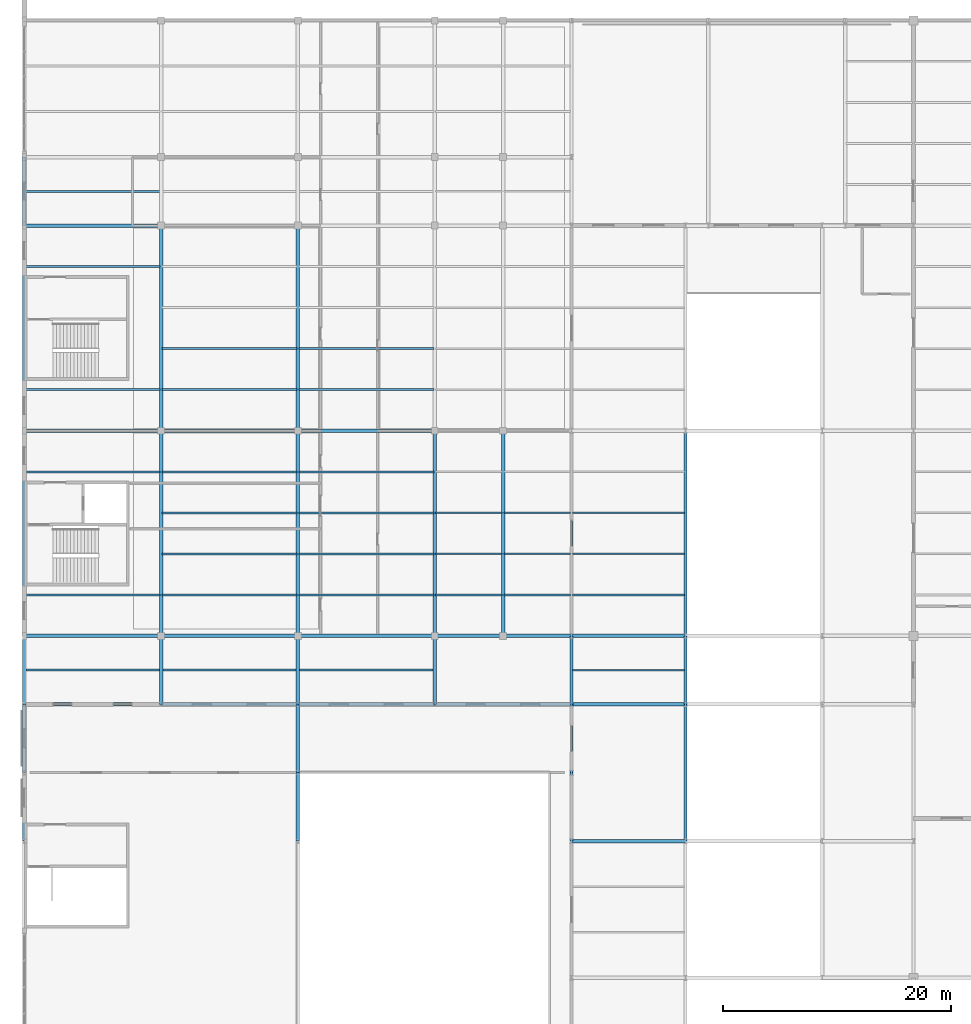
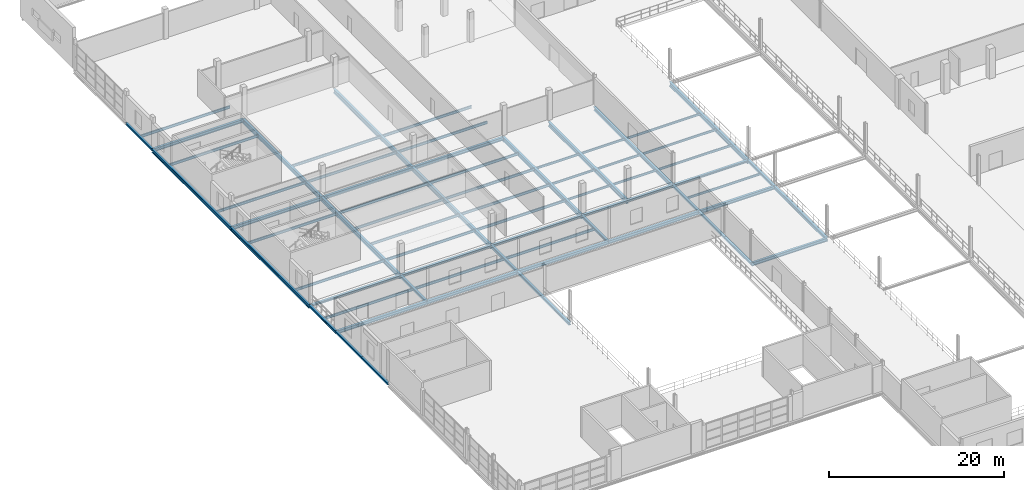
# One storey, part 63 of 147: 70 beams.
"""IFC4 building model written with IfcOpenShell, lengths in metres."""

import ifcopenshell
import ifcopenshell.guid

model = None  # the IFC model being written
_history = None  # IfcOwnerHistory: only IFC2X3 demands one
_inside = {}  # id of a spatial element -> (the spatial element, [elements in it])
_under = {}  # id of a project, library or spatial element -> (it, [spatial elements below it])
_declared = {}  # id of a project -> (the project, [libraries it declares])
_typed = {}  # id of a type object -> (the type object, [elements of that type])
_made_of = {}  # id of a material, layer set ... -> (it, [elements and type objects made of it])


def new_model(schema):
    """Start an empty IFC model of exactly this schema.

    Asked for "IFC4X3", IfcOpenShell would pick the latest addendum, in which some entities
    have other attributes; the version numbers below select the first issue.
    IFC2X3 requires an IfcOwnerHistory on every rooted entity: one is made here for all.
    """
    global model, _history
    if schema == "IFC4X3":
        model = ifcopenshell.file(schema_version=(4, 3, 0, 0))
    else:
        model = ifcopenshell.file(schema=schema)
    _inside.clear()
    _under.clear()
    _declared.clear()
    _typed.clear()
    _made_of.clear()
    _history = None
    if model.schema == "IFC2X3":
        org = make("IfcOrganization", Name="unknown")
        user = make(
            "IfcPersonAndOrganization",
            ThePerson=make("IfcPerson", FamilyName="unknown"),
            TheOrganization=org,
        )
        app = make(
            "IfcApplication",
            ApplicationDeveloper=org,
            Version="unknown",
            ApplicationFullName="unknown",
            ApplicationIdentifier="unknown",
        )
        _history = make(
            "IfcOwnerHistory",
            OwningUser=user,
            OwningApplication=app,
            ChangeAction="ADDED",
            CreationDate=0,
        )
    return model


def make(cls, **values):
    """One entity of the class cls with the attributes given. An attribute that is None is left unset."""
    return model.create_entity(
        cls, **{name: value for name, value in values.items() if value is not None}
    )


def rooted(cls, **values):
    """An entity with a GlobalId (a new one), such as an element, a storey or a relation."""
    return make(cls, GlobalId=ifcopenshell.guid.new(), OwnerHistory=_history, **values)


def si_unit(unit_type, name, prefix=None):
    """IfcSIUnit, for example si_unit("LENGTHUNIT", "METRE", prefix="MILLI")."""
    return make("IfcSIUnit", UnitType=unit_type, Prefix=prefix, Name=name)


def assignment(units):
    """IfcUnitAssignment: the units of a project."""
    return None if units is None else make("IfcUnitAssignment", Units=units)


def point(xyz):
    """IfcCartesianPoint."""
    return None if xyz is None else make("IfcCartesianPoint", Coordinates=xyz)


def direction(xyz):
    """IfcDirection."""
    return None if xyz is None else make("IfcDirection", DirectionRatios=xyz)


def frame(location, z_axis=None, x_axis=None):
    """IfcAxis2Placement3D, a coordinate frame: its origin and axes. An axis left out is left unset."""
    return make(
        "IfcAxis2Placement3D",
        Location=point(location),
        Axis=direction(z_axis),
        RefDirection=direction(x_axis),
    )


def frame_2d(location, x_axis=None):
    """IfcAxis2Placement2D, a coordinate frame in the plane: its origin and x axis."""
    return make(
        "IfcAxis2Placement2D", Location=point(location), RefDirection=direction(x_axis)
    )


def origin():
    """The frame at (0, 0, 0) with its axes left unset."""
    return frame((0.0, 0.0, 0.0))


def origin_2d():
    """The frame at (0, 0) in the plane with its x axis left unset."""
    return frame_2d((0.0, 0.0))


def place(relative_to, where):
    """IfcLocalPlacement: puts the frame where relative to a parent placement (None: the world)."""
    return make(
        "IfcLocalPlacement", PlacementRelTo=relative_to, RelativePlacement=where
    )


def context(
    kind, dimensions, precision=None, world=None, true_north=None, identifier=None
):
    """IfcGeometricRepresentationContext, for example the 3D "Model" context."""
    return make(
        "IfcGeometricRepresentationContext",
        ContextIdentifier=identifier,
        ContextType=kind,
        CoordinateSpaceDimension=dimensions,
        Precision=precision,
        WorldCoordinateSystem=world,
        TrueNorth=true_north,
    )


def subcontext(parent, identifier, kind, view, scale=None):
    """IfcGeometricRepresentationSubContext, for example "Body" below "Model"."""
    return make(
        "IfcGeometricRepresentationSubContext",
        ContextIdentifier=identifier,
        ContextType=kind,
        ParentContext=parent,
        TargetScale=scale,
        TargetView=view,
    )


def project(units=None, contexts=None):
    """IfcProject with its units and contexts."""
    return rooted(
        "IfcProject",
        Name="project",
        RepresentationContexts=contexts,
        UnitsInContext=assignment(units),
    )


def spatial(cls, under=None, at=None, **own):
    """A site, building, storey or space (cls), placed at a placement, below another one or the project."""
    s = rooted(cls, ObjectPlacement=at, **own)
    if under is not None:
        _under.setdefault(under.id(), (under, []))[1].append(s)
    return s


def profile(cls, at=None, kind="AREA", **sizes):
    """A parametric profile (cls). Its sizes go by their IFC names, for example OverallWidth=200.0."""
    return make(cls, ProfileType=kind, Position=at, **sizes)


def i_section(**sizes):
    """IfcIShapeProfileDef."""
    return profile("IfcIShapeProfileDef", **sizes)


def extrude(swept, where, along, depth):
    """IfcExtrudedAreaSolid: the profile swept, set in the frame where, extruded along a direction by depth."""
    return make(
        "IfcExtrudedAreaSolid",
        SweptArea=swept,
        Position=where,
        ExtrudedDirection=direction(along),
        Depth=depth,
    )


def shape(context_of_items, identifier, shape_type, items):
    """IfcShapeRepresentation: the items that make up one representation, for example the "Body"."""
    return make(
        "IfcShapeRepresentation",
        ContextOfItems=context_of_items,
        RepresentationIdentifier=identifier,
        RepresentationType=shape_type,
        Items=items,
    )


def material(Name=None, Category=None):
    """IfcMaterial."""
    return make("IfcMaterial", Name=Name, Category=Category)


def material_profile(
    of_material, cross_section, Name=None, Category=None, Priority=None
):
    """IfcMaterialProfile: a cross section and its material."""
    return make(
        "IfcMaterialProfile",
        Name=Name,
        Material=of_material,
        Profile=cross_section,
        Priority=Priority,
        Category=Category,
    )


def profile_set(profiles, Name=None, composite=None):
    """IfcMaterialProfileSet."""
    return make(
        "IfcMaterialProfileSet",
        Name=Name,
        MaterialProfiles=profiles,
        CompositeProfile=composite,
    )


def made_of(thing, what):
    """Note that an element or type object is made of a material, layer set ...; save() writes the relation."""
    if what is not None:
        _made_of.setdefault(what.id(), (what, []))[1].append(thing)
    return thing


def type_object(cls, material=None, **own):
    """A type object (cls), such as IfcWallType, which elements share."""
    return made_of(rooted(cls, **own), material)


def element(
    cls,
    number,
    at=None,
    inside=None,
    cuts=None,
    type_object=None,
    material=None,
    context=None,
    identifier="Body",
    shape_type=None,
    held_by="IfcProductDefinitionShape",
    body=None,
    shapes=None,
    **own,
):
    """One element of the class cls, such as IfcWall. Its Tag is "e" and its number.

    at: its placement. inside: the storey or other place that contains it. cuts: it is an
    opening in that element (IfcRelVoidsElement). A single representation is given by context,
    identifier, shape_type and body (its items); several are given by shapes. held_by: the class
    of the entity that holds the representations. save() writes the other relations.
    """
    e = rooted(cls, Tag="e%d" % number, ObjectPlacement=at, **own)
    if body is not None:
        shapes = [shape(context, identifier, shape_type, body)]
    if shapes is not None:
        e.Representation = make(held_by, Representations=shapes)
    if inside is not None:
        _inside.setdefault(inside.id(), (inside, []))[1].append(e)
    if cuts is not None:
        rooted(
            "IfcRelVoidsElement", RelatingBuildingElement=cuts, RelatedOpeningElement=e
        )
    if type_object is not None:
        _typed.setdefault(type_object.id(), (type_object, []))[1].append(e)
    return made_of(e, material)


def aggregate(whole, parts):
    """IfcRelAggregates: a whole, such as a stair, and the parts it consists of."""
    return rooted("IfcRelAggregates", RelatingObject=whole, RelatedObjects=parts)


def save(model, path):
    """Write the relations noted so far, then the file.

    IfcRelAggregates (storeys below a building ...), IfcRelContainedInSpatialStructure (elements
    in a storey), IfcRelDefinesByType, IfcRelAssociatesMaterial and IfcRelDeclares: one each for
    every whole, place, type object, material and project.
    """
    for whole, parts in _under.values():
        aggregate(whole, parts)
    for where, things in _inside.values():
        rooted(
            "IfcRelContainedInSpatialStructure",
            RelatedElements=things,
            RelatingStructure=where,
        )
    for kind, things in _typed.values():
        rooted("IfcRelDefinesByType", RelatedObjects=things, RelatingType=kind)
    for what, things in _made_of.values():
        rooted("IfcRelAssociatesMaterial", RelatedObjects=things, RelatingMaterial=what)
    for by, libraries in _declared.values():
        rooted("IfcRelDeclares", RelatingContext=by, RelatedDefinitions=libraries)
    model.write(path)


model = new_model("IFC4")

# Units and contexts
model_context = context("Model", 3, precision=1e-05, world=origin(), true_north=direction((0.0, 1.0)))
body_context = subcontext(model_context, "Body", "Model", "MODEL_VIEW")
ifc_project = project(units=[si_unit("LENGTHUNIT", "METRE"), si_unit("AREAUNIT", "SQUARE_METRE"), si_unit("VOLUMEUNIT", "CUBIC_METRE"), si_unit("PLANEANGLEUNIT", "RADIAN"), si_unit("MASSUNIT", "GRAM", prefix="KILO")], contexts=[model_context])

# Site, building, storey
site_placement = place(None, origin())
site = spatial("IfcSite", under=ifc_project, at=site_placement, CompositionType="ELEMENT")
building_placement = place(site_placement, origin())
building = spatial("IfcBuilding", under=site, at=building_placement, Name="Zilviju Railside Exhibition Hall", CompositionType="ELEMENT")
storey_placement = place(building_placement, frame((0.0, 0.0, 8.39990234375)))
storey = spatial("IfcBuildingStorey", under=building, at=storey_placement, Name="L03", CompositionType="ELEMENT", Elevation=8.39990234375)

# Beams
ifc_material = material(Name="Steel S355J2", Category="steel")
ifc_material_profile_1 = material_profile(ifc_material, i_section(OverallWidth=0.300048828125, OverallDepth=0.2900390625, WebThickness=0.008544921875, FlangeThickness=0.013916015625, at=origin_2d()), Name="HEA 300")
ifc_profile_set_1 = profile_set([ifc_material_profile_1], Name="Steel S355J2")
beam_type_1 = type_object("IfcBeamType", Name="BM-HEA300", PredefinedType="SPANDREL", material=ifc_profile_set_1)
for number, where, z_axis, x_axis, name in (
    (1, (0.0, 84.0, -0.494873046875), (1.0, 0.0, 0.0), (0.0, 1.0, 0.0), "Primary Girder L03 Y=84.0 (0.0..12.0)"),
    (2, (12.0, 84.0, -0.494873046875), (1.0, 0.0, 0.0), (0.0, 1.0, 0.0), "Primary Girder L03 Y=84.0 (12.0..24.0)"),
    (3, (24.0, 84.0, -0.494873046875), (1.0, 0.0, 0.0), (0.0, 1.0, 0.0), "Primary Girder L03 Y=84.0 (24.0..36.0)"),
):
    element("IfcBeam", number, at=place(storey_placement, frame(where, z_axis=z_axis, x_axis=x_axis)), inside=storey, type_object=beam_type_1, Name=name, PredefinedType="SPANDREL", context=body_context, shape_type="SweptSolid", body=[
        extrude(i_section(OverallWidth=0.300048828125, OverallDepth=0.2900390625, WebThickness=0.008544921875, FlangeThickness=0.013916015625, at=origin_2d()), origin(), (0.0, 0.0, 1.0), 12.0),
    ])
for number, where, z_axis, x_axis, name in (
    (4, (36.0, 84.0, -0.494873046875), (1.0, 0.0, 0.0), (0.0, 1.0, 0.0), "Primary Girder L03 Y=84.0 (36.0..42.0)"),
    (5, (42.0, 84.0, -0.494873046875), (1.0, 0.0, 0.0), (0.0, 1.0, 0.0), "Primary Girder L03 Y=84.0 (42.0..48.0)"),
):
    element("IfcBeam", number, at=place(storey_placement, frame(where, z_axis=z_axis, x_axis=x_axis)), inside=storey, type_object=beam_type_1, Name=name, PredefinedType="SPANDREL", context=body_context, shape_type="SweptSolid", body=[
        extrude(i_section(OverallWidth=0.300048828125, OverallDepth=0.2900390625, WebThickness=0.008544921875, FlangeThickness=0.013916015625, at=origin_2d()), origin(), (0.0, 0.0, 1.0), 6.0),
    ])
beam_1_placement = place(storey_placement, frame((48.0, 84.0, -0.494873046875), z_axis=(1.0, 0.0, 0.0), x_axis=(0.0, 1.0, 0.0)))
element("IfcBeam", 6, at=beam_1_placement, inside=storey, type_object=beam_type_1, Name="Primary Girder L03 Y=84.0 (48.0..58.0)", PredefinedType="SPANDREL", context=body_context, shape_type="SweptSolid", body=[
    extrude(i_section(OverallWidth=0.300048828125, OverallDepth=0.2900390625, WebThickness=0.008544921875, FlangeThickness=0.013916015625, at=origin_2d()), origin(), (0.0, 0.0, 1.0), 10.0),
])
for number, where, z_axis, x_axis, name in (
    (7, (0.0, 66.0, -0.494873046875), (0.0, 1.0, 0.0), (-1.0, 0.0, 0.0), "Transverse Girder L03 X=0.0 (66.0..72.0)"),
    (8, (0.0, 72.0, -0.494873046875), (0.0, 1.0, 0.0), (-1.0, 0.0, 0.0), "Transverse Girder L03 X=0.0 (72.0..78.0)"),
    (9, (0.0, 78.0, -0.494873046875), (0.0, 1.0, 0.0), (-1.0, 0.0, 0.0), "Transverse Girder L03 X=0.0 (78.0..84.0)"),
    (10, (0.0, 120.0, -0.494873046875), (0.0, 1.0, 0.0), (-1.0, 0.0, 0.0), "Transverse Girder L03 X=0.0 (120.0..126.0)"),
    (11, (48.0, 66.0, -0.494873046875), (0.0, 1.0, 0.0), (-1.0, 0.0, 0.0), "Transverse Girder L03 X=48.0 (66.0..72.0)"),
    (12, (48.0, 72.0, -0.494873046875), (0.0, 1.0, 0.0), (-1.0, 0.0, 0.0), "Transverse Girder L03 X=48.0 (72.0..78.0)"),
    (13, (48.0, 78.0, -0.494873046875), (0.0, 1.0, 0.0), (-1.0, 0.0, 0.0), "Transverse Girder L03 X=48.0 (78.0..84.0)"),
):
    element("IfcBeam", number, at=place(storey_placement, frame(where, z_axis=z_axis, x_axis=x_axis)), inside=storey, type_object=beam_type_1, Name=name, PredefinedType="SPANDREL", context=body_context, shape_type="SweptSolid", body=[
        extrude(i_section(OverallWidth=0.300048828125, OverallDepth=0.2900390625, WebThickness=0.008544921875, FlangeThickness=0.013916015625, at=origin_2d()), origin(), (0.0, 0.0, 1.0), 6.0),
    ])
ifc_material_profile_2 = material_profile(ifc_material, i_section(OverallWidth=0.300048828125, OverallDepth=0.360107421875, WebThickness=0.012451171875, FlangeThickness=0.0224609375, at=origin_2d()), Name="HEB 360")
ifc_profile_set_2 = profile_set([ifc_material_profile_2], Name="Steel S355J2")
beam_type_2 = type_object("IfcBeamType", Name="BM-HEB360", PredefinedType="BEAM", material=ifc_profile_set_2)
for number, where, z_axis, x_axis, name in (
    (14, (12.0, 78.0, -0.52978515625), (0.0, 1.0, 0.0), (-1.0, 0.0, 0.0), "Transverse Girder L03 X=12.0 (78.0..84.0)"),
    (15, (24.0, 66.0, -0.52978515625), (0.0, 1.0, 0.0), (-1.0, 0.0, 0.0), "Transverse Girder L03 X=24.0 (66.0..72.0)"),
    (16, (24.0, 72.0, -0.52978515625), (0.0, 1.0, 0.0), (-1.0, 0.0, 0.0), "Transverse Girder L03 X=24.0 (72.0..78.0)"),
    (17, (24.0, 78.0, -0.52978515625), (0.0, 1.0, 0.0), (-1.0, 0.0, 0.0), "Transverse Girder L03 X=24.0 (78.0..84.0)"),
    (18, (36.0, 78.0, -0.52978515625), (0.0, 1.0, 0.0), (-1.0, 0.0, 0.0), "Transverse Girder L03 X=36.0 (78.0..84.0)"),
    (19, (58.0, 78.0, -0.52978515625), (0.0, 1.0, 0.0), (-1.0, 0.0, 0.0), "Transverse Girder L03 X=58.0 (78.0..84.0)"),
):
    element("IfcBeam", number, at=place(storey_placement, frame(where, z_axis=z_axis, x_axis=x_axis)), inside=storey, type_object=beam_type_2, Name=name, PredefinedType="BEAM", context=body_context, shape_type="SweptSolid", body=[
        extrude(i_section(OverallWidth=0.300048828125, OverallDepth=0.360107421875, WebThickness=0.012451171875, FlangeThickness=0.0224609375, at=origin_2d()), origin(), (0.0, 0.0, 1.0), 6.0),
    ])
ifc_material_profile_3 = material_profile(ifc_material, i_section(OverallWidth=0.300048828125, OverallDepth=0.449951171875, WebThickness=0.013916015625, FlangeThickness=0.02587890625, at=origin_2d()), Name="HEB 450")
ifc_profile_set_3 = profile_set([ifc_material_profile_3], Name="Steel S355J2")
beam_type_3 = type_object("IfcBeamType", Name="BM-HEB450", PredefinedType="BEAM", material=ifc_profile_set_3)
beam_2_placement = place(storey_placement, frame((48.0, 66.0, -0.574951171875), z_axis=(1.0, 0.0, 0.0), x_axis=(0.0, 1.0, 0.0)))
element("IfcBeam", 20, at=beam_2_placement, inside=storey, type_object=beam_type_3, Name="Primary Girder L03 Y=66.0 (48.0..58.0)", PredefinedType="BEAM", context=body_context, shape_type="SweptSolid", body=[
    extrude(i_section(OverallWidth=0.300048828125, OverallDepth=0.449951171875, WebThickness=0.013916015625, FlangeThickness=0.02587890625, at=origin_2d()), origin(), (0.0, 0.0, 1.0), 10.0),
])
for number, where, z_axis, x_axis, name in (
    (21, (0.0, 78.0, -0.574951171875), (1.0, 0.0, 0.0), (0.0, 1.0, 0.0), "Primary Girder L03 Y=78.0 (0.0..12.0)"),
    (22, (12.0, 78.0, -0.574951171875), (1.0, 0.0, 0.0), (0.0, 1.0, 0.0), "Primary Girder L03 Y=78.0 (12.0..24.0)"),
    (23, (24.0, 78.0, -0.574951171875), (1.0, 0.0, 0.0), (0.0, 1.0, 0.0), "Primary Girder L03 Y=78.0 (24.0..36.0)"),
    (24, (36.0, 78.0, -0.574951171875), (1.0, 0.0, 0.0), (0.0, 1.0, 0.0), "Primary Girder L03 Y=78.0 (36.0..48.0)"),
):
    element("IfcBeam", number, at=place(storey_placement, frame(where, z_axis=z_axis, x_axis=x_axis)), inside=storey, type_object=beam_type_3, Name=name, PredefinedType="BEAM", context=body_context, shape_type="SweptSolid", body=[
        extrude(i_section(OverallWidth=0.300048828125, OverallDepth=0.449951171875, WebThickness=0.013916015625, FlangeThickness=0.02587890625, at=origin_2d()), origin(), (0.0, 0.0, 1.0), 12.0),
    ])
beam_3_placement = place(storey_placement, frame((48.0, 78.0, -0.574951171875), z_axis=(1.0, 0.0, 0.0), x_axis=(0.0, 1.0, 0.0)))
element("IfcBeam", 25, at=beam_3_placement, inside=storey, type_object=beam_type_3, Name="Primary Girder L03 Y=78.0 (48.0..58.0)", PredefinedType="BEAM", context=body_context, shape_type="SweptSolid", body=[
    extrude(i_section(OverallWidth=0.300048828125, OverallDepth=0.449951171875, WebThickness=0.013916015625, FlangeThickness=0.02587890625, at=origin_2d()), origin(), (0.0, 0.0, 1.0), 10.0),
])
for number, where, z_axis, x_axis, name in (
    (26, (0.0, 102.0, -0.574951171875), (1.0, 0.0, 0.0), (0.0, 1.0, 0.0), "Primary Girder L03 Y=102.0 (0.0..12.0)"),
    (27, (12.0, 102.0, -0.574951171875), (1.0, 0.0, 0.0), (0.0, 1.0, 0.0), "Primary Girder L03 Y=102.0 (12.0..24.0)"),
    (28, (24.0, 102.0, -0.574951171875), (1.0, 0.0, 0.0), (0.0, 1.0, 0.0), "Primary Girder L03 Y=102.0 (24.0..36.0)"),
    (29, (0.0, 120.0, -0.574951171875), (1.0, 0.0, 0.0), (0.0, 1.0, 0.0), "Primary Girder L03 Y=120.0 (0.0..12.0)"),
    (30, (58.0, 66.0, -0.574951171875), (0.0, 1.0, 0.0), (-1.0, 0.0, 0.0), "Transverse Girder L03 X=58.0 (66.0..78.0)"),
):
    element("IfcBeam", number, at=place(storey_placement, frame(where, z_axis=z_axis, x_axis=x_axis)), inside=storey, type_object=beam_type_3, Name=name, PredefinedType="BEAM", context=body_context, shape_type="SweptSolid", body=[
        extrude(i_section(OverallWidth=0.300048828125, OverallDepth=0.449951171875, WebThickness=0.013916015625, FlangeThickness=0.02587890625, at=origin_2d()), origin(), (0.0, 0.0, 1.0), 12.0),
    ])
ifc_material_profile_4 = material_profile(ifc_material, i_section(OverallWidth=0.300048828125, OverallDepth=0.5, WebThickness=0.014404296875, FlangeThickness=0.028076171875, at=origin_2d()), Name="HEB 500")
ifc_profile_set_4 = profile_set([ifc_material_profile_4], Name="Steel S355J2")
beam_type_4 = type_object("IfcBeamType", Name="BM-HEB500", PredefinedType="BEAM", material=ifc_profile_set_4)
for number, where, z_axis, x_axis, name in (
    (31, (0.0, 84.0, -0.599853515625), (0.0, 1.0, 0.0), (-1.0, 0.0, 0.0), "Transverse Girder L03 X=0.0 (84.0..102.0)"),
    (32, (0.0, 102.0, -0.599853515625), (0.0, 1.0, 0.0), (-1.0, 0.0, 0.0), "Transverse Girder L03 X=0.0 (102.0..120.0)"),
    (33, (48.0, 84.0, -0.599853515625), (0.0, 1.0, 0.0), (-1.0, 0.0, 0.0), "Transverse Girder L03 X=48.0 (84.0..102.0)"),
):
    element("IfcBeam", number, at=place(storey_placement, frame(where, z_axis=z_axis, x_axis=x_axis)), inside=storey, type_object=beam_type_4, Name=name, PredefinedType="BEAM", context=body_context, shape_type="SweptSolid", body=[
        extrude(i_section(OverallWidth=0.300048828125, OverallDepth=0.5, WebThickness=0.014404296875, FlangeThickness=0.028076171875, at=origin_2d()), origin(), (0.0, 0.0, 1.0), 18.0),
    ])
ifc_material_profile_5 = material_profile(ifc_material, i_section(OverallWidth=0.300048828125, OverallDepth=0.60009765625, WebThickness=0.015380859375, FlangeThickness=0.030029296875, at=origin_2d()), Name="HEB 600")
ifc_profile_set_5 = profile_set([ifc_material_profile_5], Name="Steel S355J2")
beam_type_5 = type_object("IfcBeamType", Name="BM-HEB600", PredefinedType="BEAM", material=ifc_profile_set_5)
for number, where, z_axis, x_axis, name in (
    (34, (12.0, 84.0, -0.64990234375), (0.0, 1.0, 0.0), (-1.0, 0.0, 0.0), "Transverse Girder L03 X=12.0 (84.0..102.0)"),
    (35, (12.0, 102.0, -0.64990234375), (0.0, 1.0, 0.0), (-1.0, 0.0, 0.0), "Transverse Girder L03 X=12.0 (102.0..120.0)"),
    (36, (24.0, 84.0, -0.64990234375), (0.0, 1.0, 0.0), (-1.0, 0.0, 0.0), "Transverse Girder L03 X=24.0 (84.0..102.0)"),
    (37, (24.0, 102.0, -0.64990234375), (0.0, 1.0, 0.0), (-1.0, 0.0, 0.0), "Transverse Girder L03 X=24.0 (102.0..120.0)"),
    (38, (36.0, 84.0, -0.64990234375), (0.0, 1.0, 0.0), (-1.0, 0.0, 0.0), "Transverse Girder L03 X=36.0 (84.0..102.0)"),
    (39, (42.0, 84.0, -0.64990234375), (0.0, 1.0, 0.0), (-1.0, 0.0, 0.0), "Transverse Girder L03 X=42.0 (84.0..102.0)"),
    (40, (58.0, 84.0, -0.64990234375), (0.0, 1.0, 0.0), (-1.0, 0.0, 0.0), "Transverse Girder L03 X=58.0 (84.0..102.0)"),
):
    element("IfcBeam", number, at=place(storey_placement, frame(where, z_axis=z_axis, x_axis=x_axis)), inside=storey, type_object=beam_type_5, Name=name, PredefinedType="BEAM", context=body_context, shape_type="SweptSolid", body=[
        extrude(i_section(OverallWidth=0.300048828125, OverallDepth=0.60009765625, WebThickness=0.015380859375, FlangeThickness=0.030029296875, at=origin_2d()), origin(), (0.0, 0.0, 1.0), 18.0),
    ])
ifc_material_profile_6 = material_profile(ifc_material, i_section(OverallWidth=0.14990234375, OverallDepth=0.300048828125, WebThickness=0.007080078125, FlangeThickness=0.0107421875, at=origin_2d()), Name="IPE 300")
ifc_profile_set_6 = profile_set([ifc_material_profile_6], Name="Steel S355J2")
beam_type_6 = type_object("IfcBeamType", Name="BM-IPE300", PredefinedType="JOIST", material=ifc_profile_set_6)
for number, where, z_axis, x_axis, name in (
    (41, (36.080078125, 87.60009765625, -0.5), (1.0, 0.0, 0.0), (0.0, 1.0, 0.0), "Composite Floor Joist L03 Y=87.60 (36.0..42.0)"),
    (42, (36.080078125, 91.199951171875, -0.5), (1.0, 0.0, 0.0), (0.0, 1.0, 0.0), "Composite Floor Joist L03 Y=91.20 (36.0..42.0)"),
    (43, (36.080078125, 94.800048828125, -0.5), (1.0, 0.0, 0.0), (0.0, 1.0, 0.0), "Composite Floor Joist L03 Y=94.80 (36.0..42.0)"),
    (44, (42.080078125, 87.60009765625, -0.5), (1.0, 0.0, 0.0), (0.0, 1.0, 0.0), "Composite Floor Joist L03 Y=87.60 (42.0..48.0)"),
    (45, (42.080078125, 91.199951171875, -0.5), (1.0, 0.0, 0.0), (0.0, 1.0, 0.0), "Composite Floor Joist L03 Y=91.20 (42.0..48.0)"),
    (46, (42.080078125, 94.800048828125, -0.5), (1.0, 0.0, 0.0), (0.0, 1.0, 0.0), "Composite Floor Joist L03 Y=94.80 (42.0..48.0)"),
):
    element("IfcBeam", number, at=place(storey_placement, frame(where, z_axis=z_axis, x_axis=x_axis)), inside=storey, type_object=beam_type_6, Name=name, PredefinedType="JOIST", context=body_context, shape_type="SweptSolid", body=[
        extrude(i_section(OverallWidth=0.14990234375, OverallDepth=0.300048828125, WebThickness=0.007080078125, FlangeThickness=0.0107421875, at=origin_2d()), origin(), (0.0, 0.0, 1.0), 5.83984375),
    ])
for number, where, z_axis, x_axis, name in (
    (47, (48.080078125, 81.0, -0.5), (1.0, 0.0, 0.0), (0.0, 1.0, 0.0), "Composite Floor Joist L03 Y=81.00 (48.0..58.0)"),
    (48, (48.080078125, 87.60009765625, -0.5), (1.0, 0.0, 0.0), (0.0, 1.0, 0.0), "Composite Floor Joist L03 Y=87.60 (48.0..58.0)"),
    (49, (48.080078125, 91.199951171875, -0.5), (1.0, 0.0, 0.0), (0.0, 1.0, 0.0), "Composite Floor Joist L03 Y=91.20 (48.0..58.0)"),
    (50, (48.080078125, 94.800048828125, -0.5), (1.0, 0.0, 0.0), (0.0, 1.0, 0.0), "Composite Floor Joist L03 Y=94.80 (48.0..58.0)"),
):
    element("IfcBeam", number, at=place(storey_placement, frame(where, z_axis=z_axis, x_axis=x_axis)), inside=storey, type_object=beam_type_6, Name=name, PredefinedType="JOIST", context=body_context, shape_type="SweptSolid", body=[
        extrude(i_section(OverallWidth=0.14990234375, OverallDepth=0.300048828125, WebThickness=0.007080078125, FlangeThickness=0.0107421875, at=origin_2d()), origin(), (0.0, 0.0, 1.0), 9.83984375),
    ])
ifc_material_profile_7 = material_profile(ifc_material, i_section(OverallWidth=0.169921875, OverallDepth=0.360107421875, WebThickness=0.008056640625, FlangeThickness=0.0126953125, at=origin_2d()), Name="IPE 360")
ifc_profile_set_7 = profile_set([ifc_material_profile_7], Name="Steel S355J2")
beam_type_7 = type_object("IfcBeamType", Name="BM-IPE360", PredefinedType="JOIST", material=ifc_profile_set_7)
for number, where, z_axis, x_axis, name in (
    (51, (0.080078125, 81.0, -0.52978515625), (1.0, 0.0, 0.0), (0.0, 1.0, 0.0), "Composite Floor Joist L03 Y=81.00 (0.0..12.0)"),
    (52, (0.080078125, 87.60009765625, -0.52978515625), (1.0, 0.0, 0.0), (0.0, 1.0, 0.0), "Composite Floor Joist L03 Y=87.60 (0.0..12.0)"),
    (53, (0.080078125, 98.39990234375, -0.52978515625), (1.0, 0.0, 0.0), (0.0, 1.0, 0.0), "Composite Floor Joist L03 Y=98.40 (0.0..12.0)"),
    (54, (0.080078125, 105.60009765625, -0.52978515625), (1.0, 0.0, 0.0), (0.0, 1.0, 0.0), "Composite Floor Joist L03 Y=105.60 (0.0..12.0)"),
    (55, (0.080078125, 116.39990234375, -0.52978515625), (1.0, 0.0, 0.0), (0.0, 1.0, 0.0), "Composite Floor Joist L03 Y=116.40 (0.0..12.0)"),
    (56, (0.080078125, 123.0, -0.52978515625), (1.0, 0.0, 0.0), (0.0, 1.0, 0.0), "Composite Floor Joist L03 Y=123.00 (0.0..12.0)"),
    (57, (12.080078125, 81.0, -0.52978515625), (1.0, 0.0, 0.0), (0.0, 1.0, 0.0), "Composite Floor Joist L03 Y=81.00 (12.0..24.0)"),
    (58, (12.080078125, 87.60009765625, -0.52978515625), (1.0, 0.0, 0.0), (0.0, 1.0, 0.0), "Composite Floor Joist L03 Y=87.60 (12.0..24.0)"),
    (59, (12.080078125, 91.199951171875, -0.52978515625), (1.0, 0.0, 0.0), (0.0, 1.0, 0.0), "Composite Floor Joist L03 Y=91.20 (12.0..24.0)"),
    (60, (12.080078125, 94.800048828125, -0.52978515625), (1.0, 0.0, 0.0), (0.0, 1.0, 0.0), "Composite Floor Joist L03 Y=94.80 (12.0..24.0)"),
    (61, (12.080078125, 98.39990234375, -0.52978515625), (1.0, 0.0, 0.0), (0.0, 1.0, 0.0), "Composite Floor Joist L03 Y=98.40 (12.0..24.0)"),
    (62, (12.080078125, 105.60009765625, -0.52978515625), (1.0, 0.0, 0.0), (0.0, 1.0, 0.0), "Composite Floor Joist L03 Y=105.60 (12.0..24.0)"),
    (63, (12.080078125, 109.199951171875, -0.52978515625), (1.0, 0.0, 0.0), (0.0, 1.0, 0.0), "Composite Floor Joist L03 Y=109.20 (12.0..24.0)"),
    (64, (24.080078125, 81.0, -0.52978515625), (1.0, 0.0, 0.0), (0.0, 1.0, 0.0), "Composite Floor Joist L03 Y=81.00 (24.0..36.0)"),
    (65, (24.080078125, 87.60009765625, -0.52978515625), (1.0, 0.0, 0.0), (0.0, 1.0, 0.0), "Composite Floor Joist L03 Y=87.60 (24.0..36.0)"),
    (66, (24.080078125, 91.199951171875, -0.52978515625), (1.0, 0.0, 0.0), (0.0, 1.0, 0.0), "Composite Floor Joist L03 Y=91.20 (24.0..36.0)"),
    (67, (24.080078125, 94.800048828125, -0.52978515625), (1.0, 0.0, 0.0), (0.0, 1.0, 0.0), "Composite Floor Joist L03 Y=94.80 (24.0..36.0)"),
    (68, (24.080078125, 98.39990234375, -0.52978515625), (1.0, 0.0, 0.0), (0.0, 1.0, 0.0), "Composite Floor Joist L03 Y=98.40 (24.0..36.0)"),
    (69, (24.080078125, 105.60009765625, -0.52978515625), (1.0, 0.0, 0.0), (0.0, 1.0, 0.0), "Composite Floor Joist L03 Y=105.60 (24.0..36.0)"),
    (70, (24.080078125, 109.199951171875, -0.52978515625), (1.0, 0.0, 0.0), (0.0, 1.0, 0.0), "Composite Floor Joist L03 Y=109.20 (24.0..36.0)"),
):
    element("IfcBeam", number, at=place(storey_placement, frame(where, z_axis=z_axis, x_axis=x_axis)), inside=storey, type_object=beam_type_7, Name=name, PredefinedType="JOIST", context=body_context, shape_type="SweptSolid", body=[
        extrude(i_section(OverallWidth=0.169921875, OverallDepth=0.360107421875, WebThickness=0.008056640625, FlangeThickness=0.0126953125, at=origin_2d()), origin(), (0.0, 0.0, 1.0), 11.83984375),
    ])

save(model, "model.ifc")
